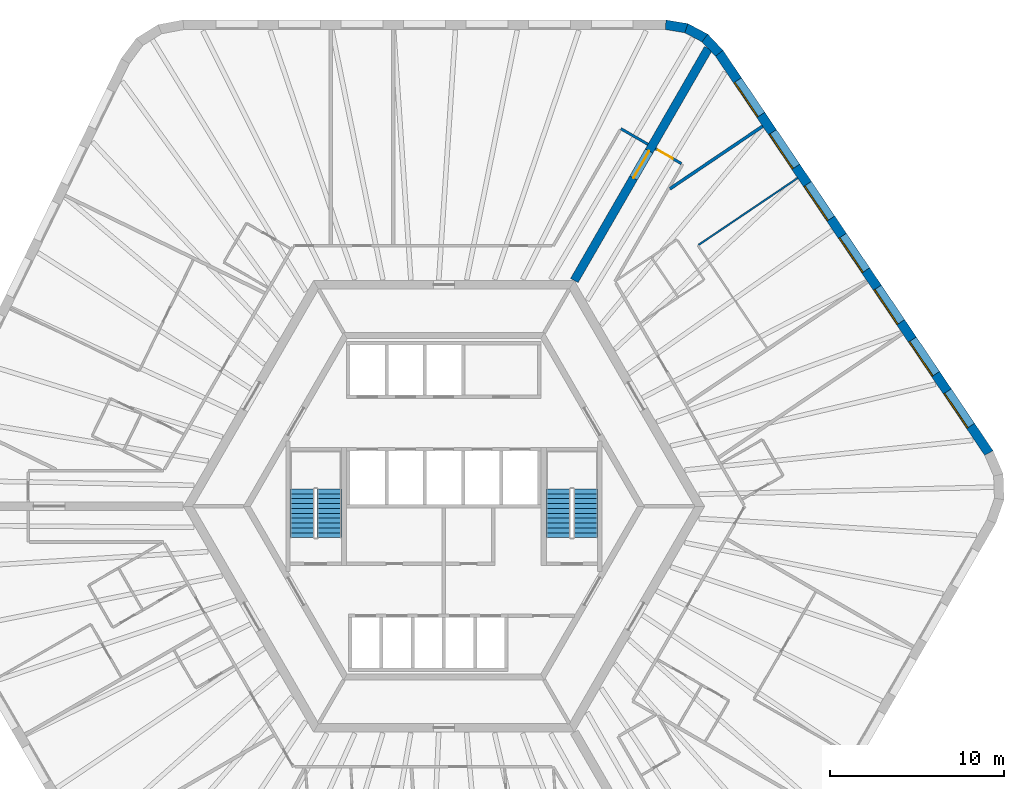
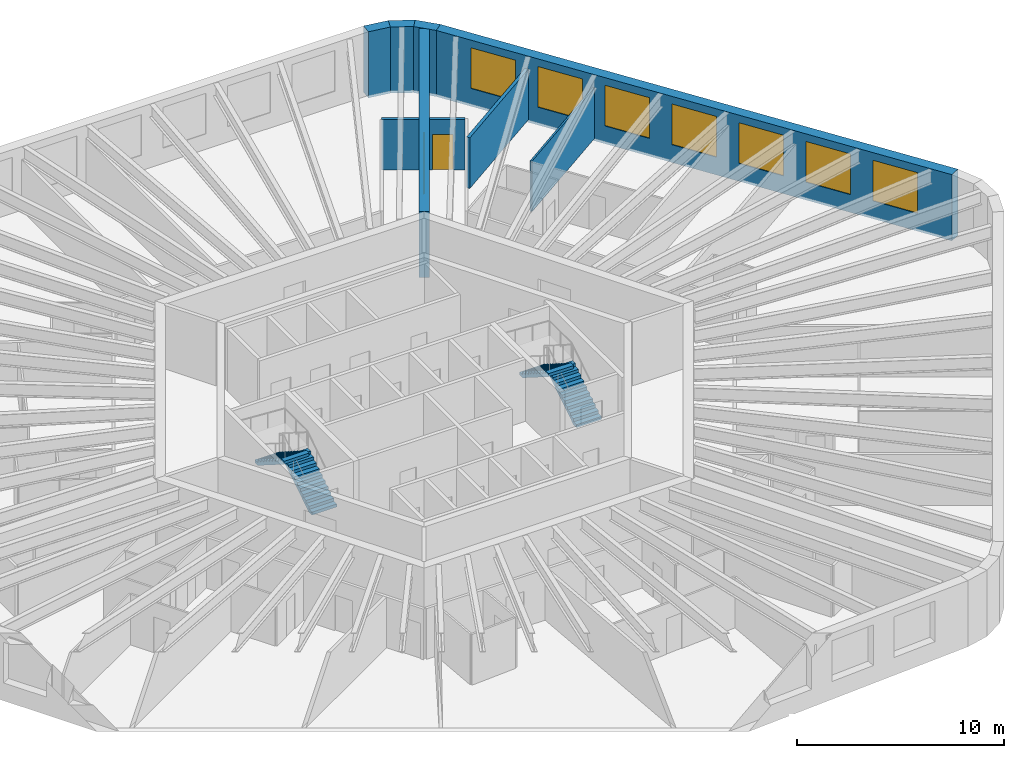
# One storey, part 9 of 10: 9 walls, 7 windows, 4 stair flights, 2 doors, 9 openings, 2 elements without a shape of their own.
"""IFC4 building model written with IfcOpenShell, lengths in metres."""

from ifc_helpers import new_model, si_unit, direction, frame, frame_2d, origin, place, context, subcontext, project, spatial, polyline, rectangle, outline, extrude, material, layer, layer_set, type_object, element, fill, aggregate, save


model = new_model("IFC4")

# Units and contexts
model_context = context("Model", 3, precision=1e-05, world=origin(), true_north=direction((0.0, 1.0)))
body_context = subcontext(model_context, "Body", "Model", "MODEL_VIEW")
ifc_project = project(units=[si_unit("LENGTHUNIT", "METRE"), si_unit("AREAUNIT", "SQUARE_METRE"), si_unit("VOLUMEUNIT", "CUBIC_METRE"), si_unit("PLANEANGLEUNIT", "RADIAN"), si_unit("MASSUNIT", "GRAM", prefix="KILO")], contexts=[model_context])

# Site, building, storey
site_placement = place(None, origin())
site = spatial("IfcSite", under=ifc_project, at=site_placement, CompositionType="ELEMENT")
building_placement = place(site_placement, origin())
building = spatial("IfcBuilding", under=site, at=building_placement, Name="Tarnside Tower", CompositionType="ELEMENT")
storey_placement = place(building_placement, frame((0.0, 0.0, 172.199951171875)))
storey = spatial("IfcBuildingStorey", under=building, at=storey_placement, Name="L40", CompositionType="ELEMENT", Elevation=172.199951171875)

# Wall, opening, door
ifc_material_1 = material(Name="Concrete C70/85", Category="concrete")
ifc_layer_1 = layer(ifc_material_1, 0.5)
ifc_layer_set_1 = layer_set([ifc_layer_1], Name="Core wall Z2 500 C70/85")
wall_type_1 = type_object("IfcWallType", Name="Core wall Z2 500 C70/85", PredefinedType="SHEAR", material=ifc_layer_set_1)
wall_1_placement = place(storey_placement, frame((7.505615234375, 13.0, -0.14990234375), z_axis=(0.0, 0.0, 1.0), x_axis=(0.499988271576, 0.866032175087, 0.0)))
wall_1 = element("IfcWall", 1, at=wall_1_placement, inside=storey, type_object=wall_type_1, Name="L40 spine wall 1", PredefinedType="SHEAR", context=body_context, shape_type="SweptSolid", body=[
    extrude(rectangle(XDim=15.423583984375, YDim=0.5, at=frame_2d((7.7119140625, 0.0))), origin(), (0.0, 0.0, 1.0), 3.89990234375),
])
opening_1_placement = place(wall_1_placement, frame((6.811767578125, 0.0, 0.14990234375)))
opening_1 = element("IfcOpeningElement", 2, at=opening_1_placement, cuts=wall_1, Name="Opening CD-SPN", PredefinedType="OPENING", context=body_context, shape_type="SweptSolid", body=[
    extrude(rectangle(XDim=1.800048828125, YDim=2.39990234375, at=frame_2d((0.89990234375, 1.199951171875))), frame((0.0, 0.260009765625, 0.0), z_axis=(0.0, -1.0, 0.0), x_axis=(1.0, 0.0, 0.0)), (0.0, 0.0, 1.0), 0.52001953125),
])
ifc_material_2 = material(Name="Steel fire door", Category="steel")
door_type_1 = type_object("IfcDoorType", Name="Spine passage double door FD60 1800x2400", OperationType="NOTDEFINED", PredefinedType="DOOR", material=ifc_material_2)
door_1_placement = place(opening_1_placement, origin())
door_1 = element("IfcDoor", 3, at=door_1_placement, inside=storey, type_object=door_type_1, Name="L40 spine passage door 1", OperationType="DOUBLE_DOOR_SINGLE_SWING", OverallHeight=2.39990234375, OverallWidth=1.800048828125, PredefinedType="DOOR", context=body_context, shape_type="SweptSolid", body=[
    extrude(rectangle(XDim=1.800048828125, YDim=2.39990234375, at=frame_2d((0.89990234375, 1.199951171875))), frame((0.0, 0.02490234375, 0.0), z_axis=(0.0, -1.0, 0.0), x_axis=(1.0, 0.0, 0.0)), (0.0, 0.0, 1.0), 0.050048828125),
])
fill(opening_1, door_1)

# Wall
ifc_material_3 = material(Name="Gypsum board partition on steel studs", Category="steel")
ifc_layer_2 = layer(ifc_material_3, 0.14990234375)
ifc_layer_set_2 = layer_set([ifc_layer_2], Name="Corridor wall 150 EI 60")
wall_type_2 = type_object("IfcWallType", Name="Corridor wall 150 EI 60", PredefinedType="PARTITIONING", material=ifc_layer_set_2)
wall_2_placement = place(storey_placement, frame((11.744873046875, 20.8427734375, 0.0), z_axis=(0.0, 0.0, 1.0), x_axis=(-0.865989075817, 0.500062916607, 0.0)))
element("IfcWall", 4, at=wall_2_placement, inside=storey, type_object=wall_type_2, Name="Corridor wall 12001", PredefinedType="PARTITIONING", context=body_context, shape_type="SweptSolid", body=[
    extrude(rectangle(XDim=1.800048828125, YDim=0.14990234375, at=frame_2d((0.89990234375, 0.0))), origin(), (0.0, 0.0, 1.0), 2.98779296875),
])

# Wall, opening, door
wall_3_placement = place(storey_placement, frame((13.671875, 19.73046875, 0.0), z_axis=(0.0, 0.0, 1.0), x_axis=(-0.866074815912, 0.499914405916, 0.0)))
wall_3 = element("IfcWall", 5, at=wall_3_placement, inside=storey, type_object=wall_type_2, Name="Corridor wall 12044", PredefinedType="PARTITIONING", context=body_context, shape_type="SweptSolid", body=[
    extrude(rectangle(XDim=1.724853515625, YDim=0.14990234375, at=frame_2d((0.8623046875, 0.0))), origin(), (0.0, 0.0, 1.0), 2.98779296875),
])
opening_2_placement = place(wall_3_placement, frame((0.574951171875, 0.0, 0.0)))
opening_2 = element("IfcOpeningElement", 6, at=opening_2_placement, cuts=wall_3, Name="Opening D-E1", PredefinedType="OPENING", context=body_context, shape_type="SweptSolid", body=[
    extrude(rectangle(XDim=1.0, YDim=2.10009765625, at=frame_2d((0.5, 1.050048828125))), frame((0.0, 0.0849609375, 0.0), z_axis=(0.0, -1.0, 0.0), x_axis=(1.0, 0.0, 0.0)), (0.0, 0.0, 1.0), 0.169921875),
])
ifc_material_4 = material(Name="Timber door leaf", Category="wood")
door_type_2 = type_object("IfcDoorType", Name="Unit entrance door 1000 FD30S", OperationType="NOTDEFINED", PredefinedType="DOOR", material=ifc_material_4)
door_2_placement = place(opening_2_placement, origin())
door_2 = element("IfcDoor", 7, at=door_2_placement, inside=storey, type_object=door_type_2, Name="Unit door 12035", OperationType="SINGLE_SWING_LEFT", OverallHeight=2.10009765625, OverallWidth=1.0, PredefinedType="DOOR", context=body_context, shape_type="SweptSolid", body=[
    extrude(rectangle(XDim=1.0, YDim=2.10009765625, at=frame_2d((0.5, 1.050048828125))), frame((0.0, 0.02490234375, 0.0), z_axis=(0.0, -1.0, 0.0), x_axis=(1.0, 0.0, 0.0)), (0.0, 0.0, 1.0), 0.050048828125),
])
fill(opening_2, door_2)

# Walls
ifc_layer_3 = layer(ifc_material_3, 0.179931640625)
ifc_layer_set_3 = layer_set([ifc_layer_3], Name="Demising wall 180 EI 60")
wall_type_3 = type_object("IfcWallType", Name="Demising wall 180 EI 60", PredefinedType="PARTITIONING", material=ifc_layer_set_3)
wall_4_placement = place(storey_placement, frame((18.349609375, 21.88427734375, 0.0), z_axis=(0.0, 0.0, 1.0), x_axis=(-0.829047205772, -0.559178621374, 0.0)))
element("IfcWall", 8, at=wall_4_placement, inside=storey, type_object=wall_type_3, Name="Demising wall 12112", PredefinedType="PARTITIONING", context=body_context, shape_type="SweptSolid", body=[
    extrude(rectangle(XDim=6.442138671875, YDim=0.179931640625, at=frame_2d((3.22119140625, 0.0))), origin(), (0.0, 0.0, 1.0), 2.98779296875),
])
ifc_layer_4 = layer(ifc_material_3, 0.10009765625)
ifc_layer_set_4 = layer_set([ifc_layer_4], Name="Partition 100")
wall_type_4 = type_object("IfcWallType", Name="Partition 100", PredefinedType="PARTITIONING", material=ifc_layer_set_4)
wall_5_placement = place(storey_placement, frame((14.65673828125, 15.05126953125, 0.0), z_axis=(0.0, 0.0, 1.0), x_axis=(0.829036561965, 0.559194401729, 0.0)))
element("IfcWall", 9, at=wall_5_placement, inside=storey, type_object=wall_type_4, Name="Partition wall 12111", PredefinedType="PARTITIONING", context=body_context, shape_type="SweptSolid", body=[
    extrude(rectangle(XDim=6.882568359375, YDim=0.10009765625, at=frame_2d((3.44140625, 0.0))), origin(), (0.0, 0.0, 1.0), 2.98779296875),
])

# Wall, openings, windows
ifc_material_5 = material(Name="Facing brick", Category="masonry")
ifc_layer_5 = layer(ifc_material_5, 0.10205078125)
ifc_material_6 = material(Name="Concrete C60/75 precast", Category="concrete")
ifc_layer_6 = layer(ifc_material_6, 0.347900390625)
ifc_material_7 = material(Name="Mineral wool insulation")
ifc_layer_7 = layer(ifc_material_7, 0.10009765625)
ifc_layer_set_5 = layer_set([ifc_layer_5, ifc_layer_6, ifc_layer_7], Name="Tube wall 550 brick faced")
wall_type_5 = type_object("IfcWallType", Name="Tube wall 550 brick faced", PredefinedType="SOLIDWALL", material=ifc_layer_set_5)
wall_6_placement = place(storey_placement, frame((31.37109375, 3.070556640625, -0.14990234375), z_axis=(0.0, 0.0, 1.0), x_axis=(-0.559189891278, 0.829039604297, 0.0)))
wall_6 = element("IfcWall", 10, at=wall_6_placement, inside=storey, type_object=wall_type_5, Name="Tube wall L40 F6 flush 20", PredefinedType="SOLIDWALL", context=body_context, shape_type="SweptSolid", body=[
    extrude(outline(polyline([(-0.025634765625, -0.27490234375), (27.780517578125, -0.27490234375), (27.735595703125, 0.27490234375), (0.025634765625, 0.27490234375), (-0.025634765625, -0.27490234375)])), origin(), (0.0, 0.0, 1.0), 3.89990234375),
])
opening_3_placement = place(wall_6_placement, frame((1.87890625, 0.0, 1.050048828125)))
opening_3 = element("IfcOpeningElement", 11, at=opening_3_placement, cuts=wall_6, Name="Opening WH", PredefinedType="OPENING", context=body_context, shape_type="SweptSolid", body=[
    extrude(rectangle(XDim=2.39990234375, YDim=2.39990234375, at=frame_2d((1.199951171875, 1.199951171875))), frame((0.0, 0.28515625, 0.0), z_axis=(0.0, -1.0, 0.0), x_axis=(1.0, 0.0, 0.0)), (0.0, 0.0, 1.0), 0.570068359375),
])
opening_4_placement = place(wall_6_placement, frame((5.47900390625, 0.0, 1.050048828125)))
opening_4 = element("IfcOpeningElement", 12, at=opening_4_placement, cuts=wall_6, Name="Opening WH", PredefinedType="OPENING", context=body_context, shape_type="SweptSolid", body=[
    extrude(rectangle(XDim=2.39990234375, YDim=2.39990234375, at=frame_2d((1.199951171875, 1.199951171875))), frame((0.0, 0.28515625, 0.0), z_axis=(0.0, -1.0, 0.0), x_axis=(1.0, 0.0, 0.0)), (0.0, 0.0, 1.0), 0.570068359375),
])
opening_5_placement = place(wall_6_placement, frame((9.078857421875, 0.0, 1.050048828125)))
opening_5 = element("IfcOpeningElement", 13, at=opening_5_placement, cuts=wall_6, Name="Opening WH", PredefinedType="OPENING", context=body_context, shape_type="SweptSolid", body=[
    extrude(rectangle(XDim=2.39990234375, YDim=2.39990234375, at=frame_2d((1.199951171875, 1.199951171875))), frame((0.0, 0.28515625, 0.0), z_axis=(0.0, -1.0, 0.0), x_axis=(1.0, 0.0, 0.0)), (0.0, 0.0, 1.0), 0.570068359375),
])
opening_6_placement = place(wall_6_placement, frame((12.678955078125, 0.0, 1.050048828125)))
opening_6 = element("IfcOpeningElement", 14, at=opening_6_placement, cuts=wall_6, Name="Opening WH", PredefinedType="OPENING", context=body_context, shape_type="SweptSolid", body=[
    extrude(rectangle(XDim=2.39990234375, YDim=2.39990234375, at=frame_2d((1.199951171875, 1.199951171875))), frame((0.0, 0.28515625, 0.0), z_axis=(0.0, -1.0, 0.0), x_axis=(1.0, 0.0, 0.0)), (0.0, 0.0, 1.0), 0.570068359375),
])
opening_7_placement = place(wall_6_placement, frame((16.27880859375, 0.0, 1.050048828125)))
opening_7 = element("IfcOpeningElement", 15, at=opening_7_placement, cuts=wall_6, Name="Opening WH", PredefinedType="OPENING", context=body_context, shape_type="SweptSolid", body=[
    extrude(rectangle(XDim=2.39990234375, YDim=2.39990234375, at=frame_2d((1.199951171875, 1.199951171875))), frame((0.0, 0.28515625, 0.0), z_axis=(0.0, -1.0, 0.0), x_axis=(1.0, 0.0, 0.0)), (0.0, 0.0, 1.0), 0.570068359375),
])
opening_8_placement = place(wall_6_placement, frame((19.87890625, 0.0, 1.050048828125)))
opening_8 = element("IfcOpeningElement", 16, at=opening_8_placement, cuts=wall_6, Name="Opening WH", PredefinedType="OPENING", context=body_context, shape_type="SweptSolid", body=[
    extrude(rectangle(XDim=2.39990234375, YDim=2.39990234375, at=frame_2d((1.199951171875, 1.199951171875))), frame((0.0, 0.28515625, 0.0), z_axis=(0.0, -1.0, 0.0), x_axis=(1.0, 0.0, 0.0)), (0.0, 0.0, 1.0), 0.570068359375),
])
opening_9_placement = place(wall_6_placement, frame((23.47900390625, 0.0, 1.050048828125)))
opening_9 = element("IfcOpeningElement", 17, at=opening_9_placement, cuts=wall_6, Name="Opening WH", PredefinedType="OPENING", context=body_context, shape_type="SweptSolid", body=[
    extrude(rectangle(XDim=2.39990234375, YDim=2.39990234375, at=frame_2d((1.199951171875, 1.199951171875))), frame((0.0, 0.28515625, 0.0), z_axis=(0.0, -1.0, 0.0), x_axis=(1.0, 0.0, 0.0)), (0.0, 0.0, 1.0), 0.570068359375),
])
ifc_material_8 = material(Name="Aluminium-framed double glazing", Category="aluminium")
window_type = type_object("IfcWindowType", Name="Hotel window 2400 x 2400", PartitioningType="DOUBLE_PANEL_VERTICAL", PredefinedType="WINDOW", material=ifc_material_8)
window_1_placement = place(opening_3_placement, frame((0.0, 0.205078125, 0.0)))
window_1 = element("IfcWindow", 18, at=window_1_placement, inside=storey, type_object=window_type, Name="E.WN.L40.F6.00", OverallHeight=2.39990234375, OverallWidth=2.39990234375, PartitioningType="DOUBLE_PANEL_VERTICAL", PredefinedType="WINDOW", context=body_context, shape_type="SweptSolid", body=[
    extrude(rectangle(XDim=2.39990234375, YDim=2.39990234375, at=frame_2d((1.199951171875, 1.199951171875))), frame((0.0, 0.030029296875, 0.0), z_axis=(0.0, -1.0, 0.0), x_axis=(1.0, 0.0, 0.0)), (0.0, 0.0, 1.0), 0.06005859375),
])
fill(opening_3, window_1)
window_2_placement = place(opening_4_placement, frame((0.0, 0.205078125, 0.0)))
window_2 = element("IfcWindow", 19, at=window_2_placement, inside=storey, type_object=window_type, Name="E.WN.L40.F6.01", OverallHeight=2.39990234375, OverallWidth=2.39990234375, PartitioningType="DOUBLE_PANEL_VERTICAL", PredefinedType="WINDOW", context=body_context, shape_type="SweptSolid", body=[
    extrude(rectangle(XDim=2.39990234375, YDim=2.39990234375, at=frame_2d((1.199951171875, 1.199951171875))), frame((0.0, 0.030029296875, 0.0), z_axis=(0.0, -1.0, 0.0), x_axis=(1.0, 0.0, 0.0)), (0.0, 0.0, 1.0), 0.06005859375),
])
fill(opening_4, window_2)
window_3_placement = place(opening_5_placement, frame((0.0, 0.205078125, 0.0)))
window_3 = element("IfcWindow", 20, at=window_3_placement, inside=storey, type_object=window_type, Name="E.WN.L40.F6.02", OverallHeight=2.39990234375, OverallWidth=2.39990234375, PartitioningType="DOUBLE_PANEL_VERTICAL", PredefinedType="WINDOW", context=body_context, shape_type="SweptSolid", body=[
    extrude(rectangle(XDim=2.39990234375, YDim=2.39990234375, at=frame_2d((1.199951171875, 1.199951171875))), frame((0.0, 0.030029296875, 0.0), z_axis=(0.0, -1.0, 0.0), x_axis=(1.0, 0.0, 0.0)), (0.0, 0.0, 1.0), 0.06005859375),
])
fill(opening_5, window_3)
window_4_placement = place(opening_6_placement, frame((0.0, 0.205078125, 0.0)))
window_4 = element("IfcWindow", 21, at=window_4_placement, inside=storey, type_object=window_type, Name="E.WN.L40.F6.03", OverallHeight=2.39990234375, OverallWidth=2.39990234375, PartitioningType="DOUBLE_PANEL_VERTICAL", PredefinedType="WINDOW", context=body_context, shape_type="SweptSolid", body=[
    extrude(rectangle(XDim=2.39990234375, YDim=2.39990234375, at=frame_2d((1.199951171875, 1.199951171875))), frame((0.0, 0.030029296875, 0.0), z_axis=(0.0, -1.0, 0.0), x_axis=(1.0, 0.0, 0.0)), (0.0, 0.0, 1.0), 0.06005859375),
])
fill(opening_6, window_4)
window_5_placement = place(opening_7_placement, frame((0.0, 0.205078125, 0.0)))
window_5 = element("IfcWindow", 22, at=window_5_placement, inside=storey, type_object=window_type, Name="E.WN.L40.F6.04", OverallHeight=2.39990234375, OverallWidth=2.39990234375, PartitioningType="DOUBLE_PANEL_VERTICAL", PredefinedType="WINDOW", context=body_context, shape_type="SweptSolid", body=[
    extrude(rectangle(XDim=2.39990234375, YDim=2.39990234375, at=frame_2d((1.199951171875, 1.199951171875))), frame((0.0, 0.030029296875, 0.0), z_axis=(0.0, -1.0, 0.0), x_axis=(1.0, 0.0, 0.0)), (0.0, 0.0, 1.0), 0.06005859375),
])
fill(opening_7, window_5)
window_6_placement = place(opening_8_placement, frame((0.0, 0.205078125, 0.0)))
window_6 = element("IfcWindow", 23, at=window_6_placement, inside=storey, type_object=window_type, Name="E.WN.L40.F6.05", OverallHeight=2.39990234375, OverallWidth=2.39990234375, PartitioningType="DOUBLE_PANEL_VERTICAL", PredefinedType="WINDOW", context=body_context, shape_type="SweptSolid", body=[
    extrude(rectangle(XDim=2.39990234375, YDim=2.39990234375, at=frame_2d((1.199951171875, 1.199951171875))), frame((0.0, 0.030029296875, 0.0), z_axis=(0.0, -1.0, 0.0), x_axis=(1.0, 0.0, 0.0)), (0.0, 0.0, 1.0), 0.06005859375),
])
fill(opening_8, window_6)
window_7_placement = place(opening_9_placement, frame((0.0, 0.205078125, 0.0)))
window_7 = element("IfcWindow", 24, at=window_7_placement, inside=storey, type_object=window_type, Name="E.WN.L40.F6.06", OverallHeight=2.39990234375, OverallWidth=2.39990234375, PartitioningType="DOUBLE_PANEL_VERTICAL", PredefinedType="WINDOW", context=body_context, shape_type="SweptSolid", body=[
    extrude(rectangle(XDim=2.39990234375, YDim=2.39990234375, at=frame_2d((1.199951171875, 1.199951171875))), frame((0.0, 0.030029296875, 0.0), z_axis=(0.0, -1.0, 0.0), x_axis=(1.0, 0.0, 0.0)), (0.0, 0.0, 1.0), 0.06005859375),
])
fill(opening_9, window_7)

# Walls
wall_7_placement = place(storey_placement, frame((15.84912109375, 26.0830078125, -0.14990234375), z_axis=(0.0, 0.0, 1.0), x_axis=(-0.686196220404, 0.727416488061, 0.0)))
element("IfcWall", 25, at=wall_7_placement, inside=storey, type_object=wall_type_5, Name="Tube wall L40 F6 chord 21", PredefinedType="SOLIDWALL", context=body_context, shape_type="SweptSolid", body=[
    extrude(outline(polyline([(-0.0224609375, -0.27490234375), (1.25341796875, -0.27490234375), (1.1630859375, 0.27490234375), (0.0224609375, 0.27490234375), (-0.0224609375, -0.27490234375)])), origin(), (0.0, 0.0, 1.0), 3.89990234375),
])
wall_8_placement = place(storey_placement, frame((15.02001953125, 26.9619140625, -0.14990234375), z_axis=(0.0, 0.0, 1.0), x_axis=(-0.882950818639, 0.469465495926, 0.0)))
element("IfcWall", 26, at=wall_8_placement, inside=storey, type_object=wall_type_5, Name="Tube wall L40 F6 chord 22", PredefinedType="SOLIDWALL", context=body_context, shape_type="SweptSolid", body=[
    extrude(outline(polyline([(-0.045166015625, -0.27490234375), (1.253173828125, -0.27490234375), (1.162841796875, 0.27490234375), (0.045166015625, 0.27490234375), (-0.045166015625, -0.27490234375)])), origin(), (0.0, 0.0, 1.0), 3.89990234375),
])
wall_9_placement = place(storey_placement, frame((13.953369140625, 27.529052734375, -0.14990234375), z_axis=(0.0, 0.0, 1.0), x_axis=(-0.986751945211, 0.162236243244, 0.0)))
element("IfcWall", 27, at=wall_9_placement, inside=storey, type_object=wall_type_5, Name="Tube wall L40 F6 chord 23", PredefinedType="SOLIDWALL", context=body_context, shape_type="SweptSolid", body=[
    extrude(outline(polyline([(-0.045166015625, -0.27490234375), (1.23095703125, -0.27490234375), (1.18603515625, 0.27490234375), (0.045166015625, 0.27490234375), (-0.045166015625, -0.27490234375)])), origin(), (0.0, 0.0, 1.0), 3.89990234375),
])

# Stair, stair flights
ifc_material_9 = material(Name="Concrete C40/50", Category="concrete")
stair_type = type_object("IfcStairType", Name="Exit stair 1400 clear", PredefinedType="HALF_TURN_STAIR", material=ifc_material_9)
stair_1_placement = place(storey_placement, origin())
stair_1 = element("IfcStair", 28, at=stair_1_placement, inside=storey, type_object=stair_type, Name="L40 Exit stair 1", PredefinedType="HALF_TURN_STAIR")
stair_flight_type = type_object("IfcStairFlightType", Name="Exit stair flight 1400", PredefinedType="STRAIGHT", material=ifc_material_9)
stair_flight_1_placement = place(storey_placement, frame((8.14990234375, -1.800048828125, 0.0), z_axis=(0.0, 0.0, 1.0), x_axis=(0.0, 1.0, 0.0)))
stair_flight_1 = element("IfcStairFlight", 29, at=stair_flight_1_placement, type_object=stair_flight_type, Name="ST1 flight 1", NumberOfRisers=11, NumberOfTreads=10, PredefinedType="STRAIGHT", RiserHeight=0.177272727, TreadLength=0.28, context=body_context, shape_type="SweptSolid", body=[
    extrude(outline(polyline([(0.0, 0.0), (0.0, 0.17724609375), (0.280029296875, 0.17724609375), (0.280029296875, 0.3544921875), (0.56005859375, 0.3544921875), (0.56005859375, 0.53173828125), (0.840087890625, 0.53173828125), (0.840087890625, 0.708984375), (1.1201171875, 0.708984375), (1.1201171875, 0.886474609375), (1.39990234375, 0.886474609375), (1.39990234375, 1.063720703125), (1.679931640625, 1.063720703125), (1.679931640625, 1.240966796875), (1.9599609375, 1.240966796875), (1.9599609375, 1.418212890625), (2.239990234375, 1.418212890625), (2.239990234375, 1.595458984375), (2.52001953125, 1.595458984375), (2.52001953125, 1.772705078125), (2.800048828125, 1.772705078125), (2.800048828125, 1.949951171875), (2.800048828125, 1.59521484375), (0.2802734375, 0.0), (0.0, 0.0)])), frame((0.0, 0.699951171875, 0.0), z_axis=(0.0, -1.0, 0.0), x_axis=(1.0, 0.0, 0.0)), (0.0, 0.0, 1.0), 1.39990234375),
])
stair_flight_2_placement = place(storey_placement, frame((6.60009765625, 1.0, 1.949951171875), z_axis=(0.0, 0.0, 1.0), x_axis=(0.0, -1.0, 0.0)))
stair_flight_2 = element("IfcStairFlight", 30, at=stair_flight_2_placement, type_object=stair_flight_type, Name="ST1 flight 2", NumberOfRisers=11, NumberOfTreads=10, PredefinedType="STRAIGHT", RiserHeight=0.177272727, TreadLength=0.28, context=body_context, shape_type="SweptSolid", body=[
    extrude(outline(polyline([(0.0, 0.0), (0.0, 0.17724609375), (0.280029296875, 0.17724609375), (0.280029296875, 0.3544921875), (0.56005859375, 0.3544921875), (0.56005859375, 0.53173828125), (0.840087890625, 0.53173828125), (0.840087890625, 0.708984375), (1.1201171875, 0.708984375), (1.1201171875, 0.886474609375), (1.39990234375, 0.886474609375), (1.39990234375, 1.063720703125), (1.679931640625, 1.063720703125), (1.679931640625, 1.240966796875), (1.9599609375, 1.240966796875), (1.9599609375, 1.418212890625), (2.239990234375, 1.418212890625), (2.239990234375, 1.595458984375), (2.52001953125, 1.595458984375), (2.52001953125, 1.772705078125), (2.800048828125, 1.772705078125), (2.800048828125, 1.949951171875), (2.800048828125, 1.59521484375), (0.2802734375, 0.0), (0.0, 0.0)])), frame((0.0, 0.699951171875, 0.0), z_axis=(0.0, -1.0, 0.0), x_axis=(1.0, 0.0, 0.0)), (0.0, 0.0, 1.0), 1.39990234375),
])
aggregate(stair_1, [stair_flight_1, stair_flight_2])

stair_2_placement = place(storey_placement, origin())
stair_2 = element("IfcStair", 31, at=stair_2_placement, inside=storey, type_object=stair_type, Name="L40 Exit stair 2", PredefinedType="HALF_TURN_STAIR")
stair_flight_3_placement = place(storey_placement, frame((-6.60009765625, -1.800048828125, 0.0), z_axis=(0.0, 0.0, 1.0), x_axis=(0.0, 1.0, 0.0)))
stair_flight_3 = element("IfcStairFlight", 32, at=stair_flight_3_placement, type_object=stair_flight_type, Name="ST2 flight 1", NumberOfRisers=11, NumberOfTreads=10, PredefinedType="STRAIGHT", RiserHeight=0.177272727, TreadLength=0.28, context=body_context, shape_type="SweptSolid", body=[
    extrude(outline(polyline([(0.0, 0.0), (0.0, 0.17724609375), (0.280029296875, 0.17724609375), (0.280029296875, 0.3544921875), (0.56005859375, 0.3544921875), (0.56005859375, 0.53173828125), (0.840087890625, 0.53173828125), (0.840087890625, 0.708984375), (1.1201171875, 0.708984375), (1.1201171875, 0.886474609375), (1.39990234375, 0.886474609375), (1.39990234375, 1.063720703125), (1.679931640625, 1.063720703125), (1.679931640625, 1.240966796875), (1.9599609375, 1.240966796875), (1.9599609375, 1.418212890625), (2.239990234375, 1.418212890625), (2.239990234375, 1.595458984375), (2.52001953125, 1.595458984375), (2.52001953125, 1.772705078125), (2.800048828125, 1.772705078125), (2.800048828125, 1.949951171875), (2.800048828125, 1.59521484375), (0.2802734375, 0.0), (0.0, 0.0)])), frame((0.0, 0.699951171875, 0.0), z_axis=(0.0, -1.0, 0.0), x_axis=(1.0, 0.0, 0.0)), (0.0, 0.0, 1.0), 1.39990234375),
])
stair_flight_4_placement = place(storey_placement, frame((-8.14990234375, 1.0, 1.949951171875), z_axis=(0.0, 0.0, 1.0), x_axis=(0.0, -1.0, 0.0)))
stair_flight_4 = element("IfcStairFlight", 33, at=stair_flight_4_placement, type_object=stair_flight_type, Name="ST2 flight 2", NumberOfRisers=11, NumberOfTreads=10, PredefinedType="STRAIGHT", RiserHeight=0.177272727, TreadLength=0.28, context=body_context, shape_type="SweptSolid", body=[
    extrude(outline(polyline([(0.0, 0.0), (0.0, 0.17724609375), (0.280029296875, 0.17724609375), (0.280029296875, 0.3544921875), (0.56005859375, 0.3544921875), (0.56005859375, 0.53173828125), (0.840087890625, 0.53173828125), (0.840087890625, 0.708984375), (1.1201171875, 0.708984375), (1.1201171875, 0.886474609375), (1.39990234375, 0.886474609375), (1.39990234375, 1.063720703125), (1.679931640625, 1.063720703125), (1.679931640625, 1.240966796875), (1.9599609375, 1.240966796875), (1.9599609375, 1.418212890625), (2.239990234375, 1.418212890625), (2.239990234375, 1.595458984375), (2.52001953125, 1.595458984375), (2.52001953125, 1.772705078125), (2.800048828125, 1.772705078125), (2.800048828125, 1.949951171875), (2.800048828125, 1.59521484375), (0.2802734375, 0.0), (0.0, 0.0)])), frame((0.0, 0.699951171875, 0.0), z_axis=(0.0, -1.0, 0.0), x_axis=(1.0, 0.0, 0.0)), (0.0, 0.0, 1.0), 1.39990234375),
])
aggregate(stair_2, [stair_flight_3, stair_flight_4])

save(model, "model.ifc")
